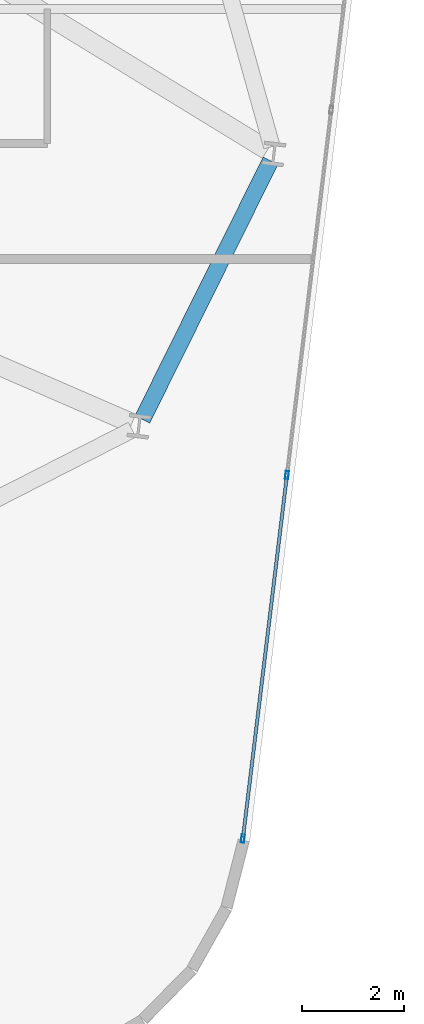
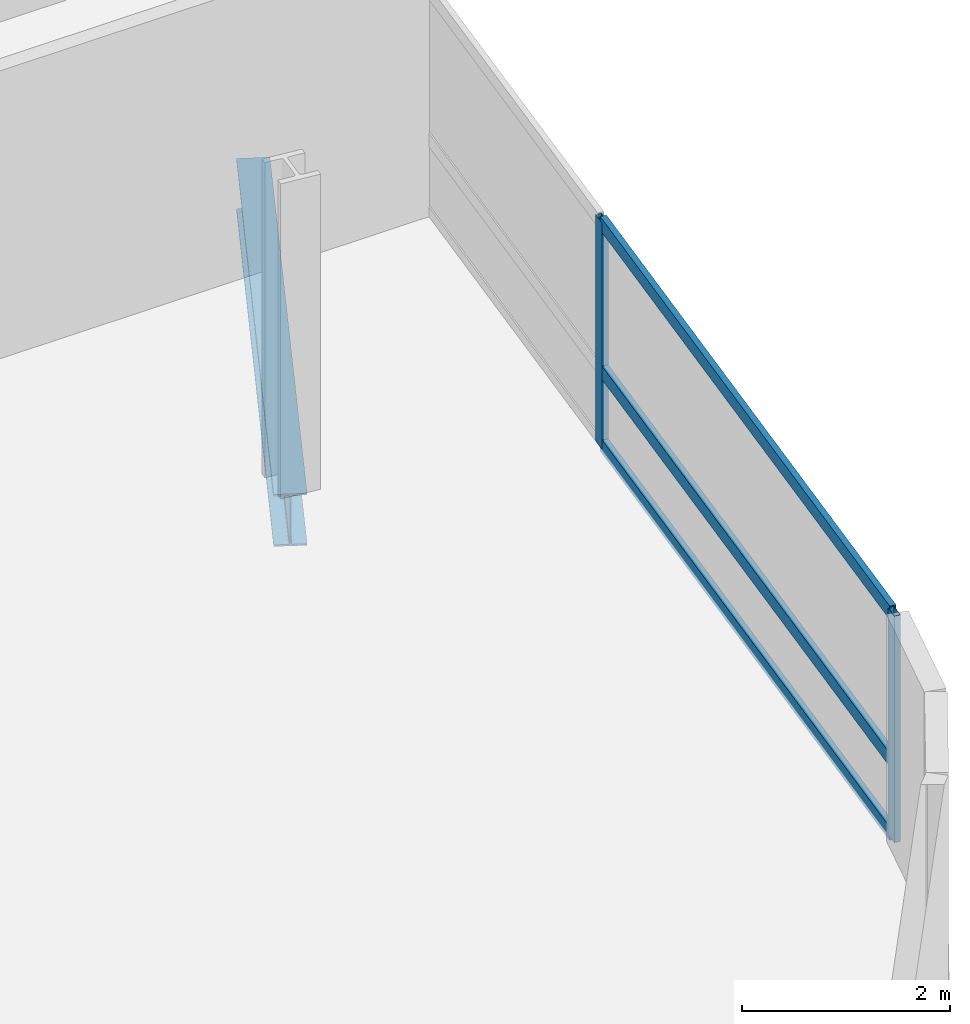
# One storey, part 14 of 26: 5 members, 1 beam, 1 element without a shape of its own.
"""IFC4 building model written with IfcOpenShell, lengths in metres."""

from ifc_helpers import new_model, si_unit, direction, frame, origin, origin_2d, place, context, subcontext, project, spatial, hollow_rectangle, i_section, extrude, material, layer, layer_set, material_profile, profile_set, type_object, element, aggregate, save


model = new_model("IFC4")

# Units and contexts
model_context = context("Model", 3, precision=1e-05, world=origin(), true_north=direction((0.0, 1.0)))
body_context = subcontext(model_context, "Body", "Model", "MODEL_VIEW")
ifc_project = project(units=[si_unit("LENGTHUNIT", "METRE"), si_unit("AREAUNIT", "SQUARE_METRE"), si_unit("VOLUMEUNIT", "CUBIC_METRE"), si_unit("PLANEANGLEUNIT", "RADIAN"), si_unit("MASSUNIT", "GRAM", prefix="KILO")], contexts=[model_context])

# Site, building, storey
site_placement = place(None, origin())
site = spatial("IfcSite", under=ifc_project, at=site_placement, CompositionType="ELEMENT")
building_placement = place(site_placement, origin())
building = spatial("IfcBuilding", under=site, at=building_placement, Name="Varnelok Gate Tower", CompositionType="ELEMENT")
storey_placement = place(building_placement, frame((0.0, 0.0, 158.699951171875)))
storey = spatial("IfcBuildingStorey", under=building, at=storey_placement, Name="L40", CompositionType="ELEMENT", Elevation=158.699951171875)

# Beam
ifc_material_1 = material(Name="Structural Steel ASTM A992 Grade 50", Category="steel")
ifc_material_profile_1 = material_profile(ifc_material_1, i_section(OverallWidth=0.323974609375, OverallDepth=0.611083984375, WebThickness=0.0126953125, FlangeThickness=0.01904296875, FilletRadius=0.01806640625, at=origin_2d()), Name="W24X104")
ifc_profile_set_1 = profile_set([ifc_material_profile_1], Name="Structural Steel ASTM A992 Grade 50")
beam_type = type_object("IfcBeamType", Name="BM-SPN-W24X104", PredefinedType="SPANDREL", material=ifc_profile_set_1)
beam_placement = place(storey_placement, frame((71.859619140625, 11.20849609375, -0.555419921875), z_axis=(0.44413424616, 0.895960251009, 0.0), x_axis=(-0.895960251009, 0.44413424616, 0.0)))
element("IfcBeam", 1, at=beam_placement, inside=storey, type_object=beam_type, Name="L40 Perimeter Spandrel Beam 6", PredefinedType="SPANDREL", context=body_context, shape_type="SweptSolid", body=[
    extrude(i_section(OverallWidth=0.323974609375, OverallDepth=0.611083984375, WebThickness=0.0126953125, FlangeThickness=0.01904296875, FilletRadius=0.01806640625, at=origin_2d()), origin(), (0.0, 0.0, 1.0), 5.64990234375),
])

# Curtain wall, members
ifc_material_2 = material(Name="Anodized Aluminum Alloy 6063-T6", Category="aluminium")
ifc_layer = layer(ifc_material_2, 0.179931640625)
ifc_layer_set = layer_set([ifc_layer], Name="Anodized Aluminum Alloy 6063-T6")
curtain_wall_type = type_object("IfcCurtainWallType", Name="CW3-HOTEL-VISION", PredefinedType="USERDEFINED", material=ifc_layer_set)
curtain_wall_placement = place(storey_placement, origin())
curtain_wall = element("IfcCurtainWall", 2, at=curtain_wall_placement, inside=storey, type_object=curtain_wall_type, Name="L40 East End Vision Curtain Wall", ObjectType="UNITISED CURTAIN WALL", PredefinedType="USERDEFINED")
ifc_material_profile_2 = material_profile(ifc_material_2, hollow_rectangle(XDim=0.06494140625, YDim=0.159912109375, WallThickness=0.00390625, at=origin_2d()), Name="ALU160X65X4")
ifc_profile_set_2 = profile_set([ifc_material_profile_2], Name="Anodized Aluminum Alloy 6063-T6")
member_type_1 = type_object("IfcMemberType", Name="CW-MULL-160", PredefinedType="MULLION", material=ifc_profile_set_2)
member_1_placement = place(storey_placement, frame((74.69091796875, 10.118408203125, 0.0), z_axis=(0.0, 0.0, 1.0), x_axis=(0.99273188146, -0.120347046212, 0.0)))
member_1 = element("IfcMember", 3, at=member_1_placement, type_object=member_type_1, Name="CW3 mullion 5", PredefinedType="MULLION", context=body_context, shape_type="SweptSolid", body=[
    extrude(hollow_rectangle(XDim=0.06494140625, YDim=0.159912109375, WallThickness=0.00390625, at=origin_2d()), origin(), (0.0, 0.0, 1.0), 2.66015625),
])
member_2_placement = place(storey_placement, frame((73.828369140625, 3.003173828125, 0.0), z_axis=(0.0, 0.0, 1.0), x_axis=(0.99273188146, -0.120347046212, 0.0)))
member_2 = element("IfcMember", 4, at=member_2_placement, type_object=member_type_1, Name="CW3 mullion 6", PredefinedType="MULLION", context=body_context, shape_type="SweptSolid", body=[
    extrude(hollow_rectangle(XDim=0.06494140625, YDim=0.159912109375, WallThickness=0.00390625, at=origin_2d()), origin(), (0.0, 0.0, 1.0), 2.66015625),
])
ifc_material_profile_3 = material_profile(ifc_material_2, hollow_rectangle(XDim=0.06494140625, YDim=0.159912109375, WallThickness=0.00390625, at=origin_2d()), Name="ALU160X65X4")
ifc_profile_set_3 = profile_set([ifc_material_profile_3], Name="Anodized Aluminum Alloy 6063-T6")
member_type_2 = type_object("IfcMemberType", Name="CW-TRAN-160", PredefinedType="USERDEFINED", material=ifc_profile_set_3)
member_3_placement = place(storey_placement, frame((74.68701171875, 10.086181640625, 0.032470703125), z_axis=(-0.120344712857, -0.992732164326, 0.0), x_axis=(0.992732164326, -0.120344712857, 0.0)))
member_3 = element("IfcMember", 5, at=member_3_placement, type_object=member_type_2, Name="CW3 transom 5.1", ObjectType="TRANSOM", PredefinedType="USERDEFINED", context=body_context, shape_type="SweptSolid", body=[
    extrude(hollow_rectangle(XDim=0.06494140625, YDim=0.159912109375, WallThickness=0.00390625, at=origin_2d()), origin(), (0.0, 0.0, 1.0), 7.102294921875),
])
member_4_placement = place(storey_placement, frame((74.68701171875, 10.086181640625, 0.900146484375), z_axis=(-0.120344712857, -0.992732164326, 0.0), x_axis=(0.992732164326, -0.120344712857, 0.0)))
member_4 = element("IfcMember", 6, at=member_4_placement, type_object=member_type_2, Name="CW3 transom 5.2", ObjectType="TRANSOM", PredefinedType="USERDEFINED", context=body_context, shape_type="SweptSolid", body=[
    extrude(hollow_rectangle(XDim=0.06494140625, YDim=0.159912109375, WallThickness=0.00390625, at=origin_2d()), origin(), (0.0, 0.0, 1.0), 7.102294921875),
])
member_5_placement = place(storey_placement, frame((74.68701171875, 10.086181640625, 2.62744140625), z_axis=(-0.120344712857, -0.992732164326, 0.0), x_axis=(0.992732164326, -0.120344712857, 0.0)))
member_5 = element("IfcMember", 7, at=member_5_placement, type_object=member_type_2, Name="CW3 transom 5.3", ObjectType="TRANSOM", PredefinedType="USERDEFINED", context=body_context, shape_type="SweptSolid", body=[
    extrude(hollow_rectangle(XDim=0.06494140625, YDim=0.159912109375, WallThickness=0.00390625, at=origin_2d()), origin(), (0.0, 0.0, 1.0), 7.102294921875),
])
aggregate(curtain_wall, [member_1, member_2, member_3, member_4, member_5])

save(model, "model.ifc")
